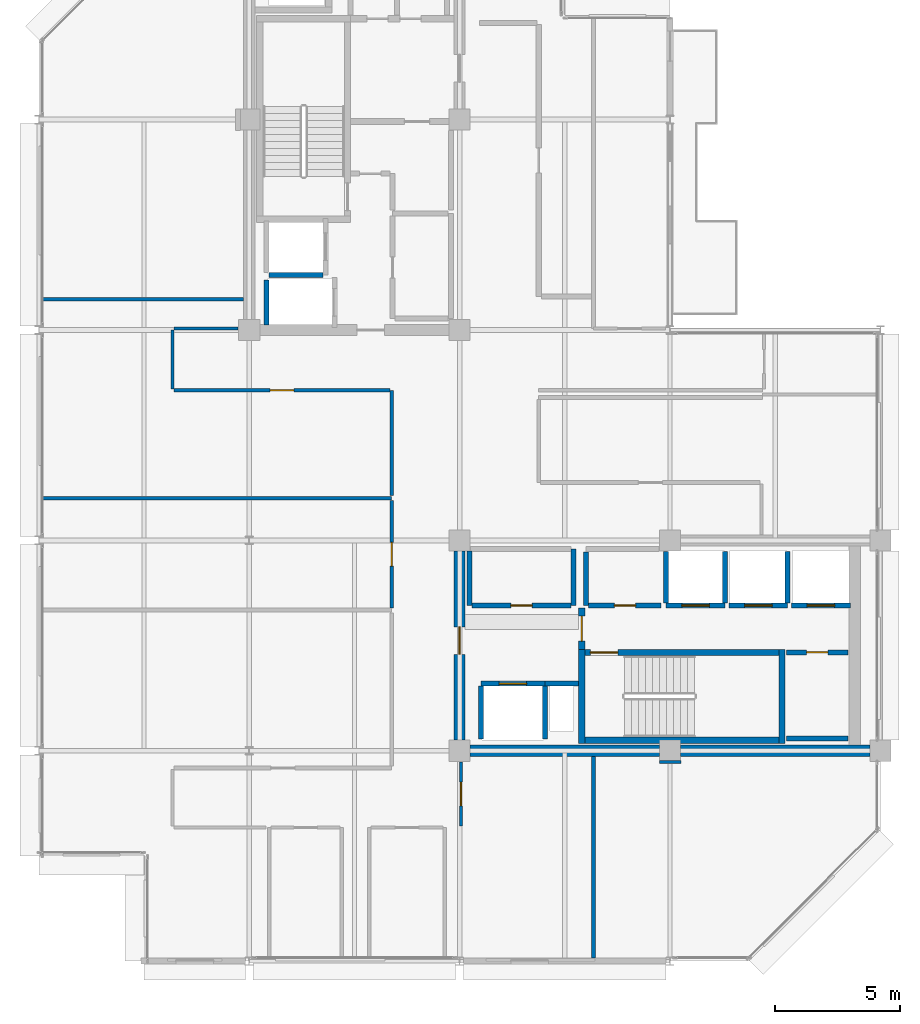
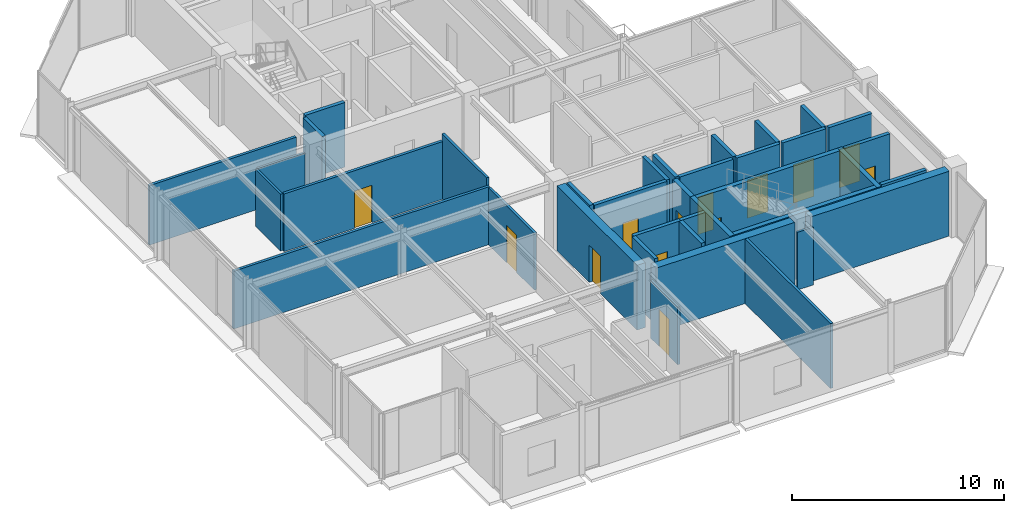
# One storey, part 20 of 25: 37 walls, 13 doors, 13 openings.
"""IFC4 building model written with IfcOpenShell, lengths in metres."""

from ifc_helpers import new_model, si_unit, direction, frame, frame_2d, origin, place, context, subcontext, project, spatial, rectangle, extrude, material, layer, layer_set, type_object, element, fill, save


model = new_model("IFC4")

# Units and contexts
model_context = context("Model", 3, precision=1e-05, world=origin(), true_north=direction((0.0, 1.0)))
body_context = subcontext(model_context, "Body", "Model", "MODEL_VIEW")
ifc_project = project(units=[si_unit("LENGTHUNIT", "METRE"), si_unit("AREAUNIT", "SQUARE_METRE"), si_unit("VOLUMEUNIT", "CUBIC_METRE"), si_unit("PLANEANGLEUNIT", "RADIAN"), si_unit("MASSUNIT", "GRAM", prefix="KILO")], contexts=[model_context])

# Site, building, storey
site_placement = place(None, origin())
site = spatial("IfcSite", under=ifc_project, at=site_placement, CompositionType="ELEMENT")
building_placement = place(site_placement, origin())
building = spatial("IfcBuilding", under=site, at=building_placement, Name="Nerrivon Quay Data Exchange", CompositionType="ELEMENT")
storey_placement = place(building_placement, frame((0.0, 0.0, 290.199951171875)))
storey = spatial("IfcBuildingStorey", under=building, at=storey_placement, Name="L69", CompositionType="ELEMENT", Elevation=290.199951171875)

# Walls
ifc_material_1 = material(Name="Concrete N50 (50 MPa)", Category="concrete")
ifc_layer_1 = layer(ifc_material_1, 0.449951171875)
ifc_layer_set_1 = layer_set([ifc_layer_1], Name="Concrete N50 (50 MPa)")
wall_type_1 = type_object("IfcWallType", Name="WALL-CW-550", PredefinedType="SHEAR", material=ifc_layer_set_1)
wall_1_placement = place(storey_placement, frame((17.22509765625, 8.39990234375, 0.0), z_axis=(0.0, 0.0, 1.0), x_axis=(1.0, 0.0, 0.0)))
element("IfcWall", 1, at=wall_1_placement, inside=storey, type_object=wall_type_1, Name="L69 East Split-Core Shear Wall ECW-S1", PredefinedType="SHEAR", context=body_context, shape_type="SweptSolid", body=[
    extrude(rectangle(XDim=7.5498046875, YDim=0.449951171875, at=frame_2d((3.77490234375, 0.0))), origin(), (0.0, 0.0, 1.0), 3.72509765625),
])
wall_2_placement = place(storey_placement, frame((25.625, 8.39990234375, 0.0), z_axis=(0.0, 0.0, 1.0), x_axis=(1.0, 0.0, 0.0)))
element("IfcWall", 2, at=wall_2_placement, inside=storey, type_object=wall_type_1, Name="L69 East Split-Core Shear Wall ECW-S2", PredefinedType="SHEAR", context=body_context, shape_type="SweptSolid", body=[
    extrude(rectangle(XDim=7.550048828125, YDim=0.449951171875, at=frame_2d((3.77490234375, 0.0))), origin(), (0.0, 0.0, 1.0), 3.72509765625),
])

# Wall, opening, door
wall_3_placement = place(storey_placement, frame((16.800048828125, 8.824951171875, 0.0), z_axis=(0.0, 0.0, 1.0), x_axis=(0.0, 1.0, 0.0)))
wall_3 = element("IfcWall", 3, at=wall_3_placement, inside=storey, type_object=wall_type_1, Name="L69 East Split-Core Shear Wall ECW-W1", PredefinedType="SHEAR", context=body_context, shape_type="SweptSolid", body=[
    extrude(rectangle(XDim=7.550048828125, YDim=0.449951171875, at=frame_2d((3.77490234375, 0.0))), origin(), (0.0, 0.0, 1.0), 3.72509765625),
])
opening_1_placement = place(wall_3_placement, frame((3.425048828125, 0.0, 0.0)))
opening_1 = element("IfcOpeningElement", 4, at=opening_1_placement, cuts=wall_3, Name="Opening FD-120", PredefinedType="OPENING", context=body_context, shape_type="SweptSolid", body=[
    extrude(rectangle(XDim=1.10009765625, YDim=2.14990234375, at=frame_2d((0.550048828125, 1.074951171875))), frame((0.0, 0.23486328125, 0.0), z_axis=(0.0, -1.0, 0.0), x_axis=(1.0, 0.0, 0.0)), (0.0, 0.0, 1.0), 0.469970703125),
])
ifc_material_2 = material(Name="Powder-coated galvanized steel sheet", Category="steel")
door_type_1 = type_object("IfcDoorType", Name="DR-FD120-1100", OperationType="NOTDEFINED", PredefinedType="DOOR", material=ifc_material_2)
door_1_placement = place(opening_1_placement, origin())
door_1 = element("IfcDoor", 5, at=door_1_placement, inside=storey, type_object=door_type_1, Name="L69 East Core Lobby Fire Door", OperationType="SINGLE_SWING_RIGHT", OverallHeight=2.14990234375, OverallWidth=1.10009765625, PredefinedType="DOOR", context=body_context, shape_type="SweptSolid", body=[
    extrude(rectangle(XDim=1.10009765625, YDim=2.14990234375, at=frame_2d((0.550048828125, 1.074951171875))), frame((0.0, 0.02490234375, 0.0), z_axis=(0.0, -1.0, 0.0), x_axis=(1.0, 0.0, 0.0)), (0.0, 0.0, 1.0), 0.050048828125),
])
fill(opening_1, door_1)

# Walls
ifc_material_3 = material(Name="Gypsum plasterboard on cold-formed framing", Category="gypsum")
ifc_layer_2 = layer(ifc_material_3, 0.199951171875)
ifc_layer_set_2 = layer_set([ifc_layer_2], Name="Gypsum plasterboard on cold-formed framing")
wall_type_2 = type_object("IfcWallType", Name="WALL-FW-200", PredefinedType="PARTITIONING", material=ifc_layer_set_2)
wall_4_placement = place(storey_placement, frame((20.199951171875, 11.080078125, 0.0), z_axis=(0.0, 0.0, 1.0), x_axis=(1.0, 0.0, 0.0)))
element("IfcWall", 6, at=wall_4_placement, inside=storey, type_object=wall_type_2, Name="L69 East Core MEP Riser Shaft Wall N", PredefinedType="PARTITIONING", context=body_context, shape_type="SweptSolid", body=[
    extrude(rectangle(XDim=1.35009765625, YDim=0.199951171875, at=frame_2d((0.675048828125, 0.0))), origin(), (0.0, 0.0, 1.0), 3.72509765625),
])
wall_5_placement = place(storey_placement, frame((9.199951171875, 27.39990234375, 0.0), z_axis=(0.0, 0.0, 1.0), x_axis=(1.0, 0.0, 0.0)))
element("IfcWall", 7, at=wall_5_placement, inside=storey, type_object=wall_type_2, Name="L69 Lift Shaft Wall FFL-1 SOUTH", PredefinedType="PARTITIONING", context=body_context, shape_type="SweptSolid", body=[
    extrude(rectangle(XDim=2.150146484375, YDim=0.199951171875, at=frame_2d((1.0751953125, 0.0))), origin(), (0.0, 0.0, 1.0), 3.72509765625),
])
wall_6_placement = place(storey_placement, frame((9.10009765625, 25.39990234375, 0.0), z_axis=(0.0, 0.0, 1.0), x_axis=(0.0, 1.0, 0.0)))
element("IfcWall", 8, at=wall_6_placement, inside=storey, type_object=wall_type_2, Name="L69 Lift Shaft Wall SVL-1 WEST", PredefinedType="PARTITIONING", context=body_context, shape_type="SweptSolid", body=[
    extrude(rectangle(XDim=1.800048828125, YDim=0.199951171875, at=frame_2d((0.89990234375, 0.0))), origin(), (0.0, 0.0, 1.0), 3.72509765625),
])

# Wall, opening, door
wall_7_placement = place(storey_placement, frame((17.64990234375, 11.080078125, 0.0), z_axis=(0.0, 0.0, 1.0), x_axis=(1.0, 0.0, 0.0)))
wall_7 = element("IfcWall", 9, at=wall_7_placement, inside=storey, type_object=wall_type_2, Name="L69 Lift Front Wall FFL-2", PredefinedType="PARTITIONING", context=body_context, shape_type="SweptSolid", body=[
    extrude(rectangle(XDim=2.550048828125, YDim=0.199951171875, at=frame_2d((1.27490234375, 0.0))), origin(), (0.0, 0.0, 1.0), 3.72509765625),
])
opening_2_placement = place(wall_7_placement, frame((0.72509765625, 0.0, 0.0)))
opening_2 = element("IfcOpeningElement", 10, at=opening_2_placement, cuts=wall_7, Name="Opening LD-120", PredefinedType="OPENING", context=body_context, shape_type="SweptSolid", body=[
    extrude(rectangle(XDim=1.10009765625, YDim=2.199951171875, at=frame_2d((0.550048828125, 1.10009765625))), frame((0.0, 0.10986328125, 0.0), z_axis=(0.0, -1.0, 0.0), x_axis=(1.0, 0.0, 0.0)), (0.0, 0.0, 1.0), 0.219970703125),
])
door_type_2 = type_object("IfcDoorType", Name="DR-LIFT-LD120", OperationType="DOUBLE_DOOR_SLIDING", PredefinedType="DOOR", material=ifc_material_2)
door_2_placement = place(opening_2_placement, origin())
door_2 = element("IfcDoor", 11, at=door_2_placement, inside=storey, type_object=door_type_2, Name="L69 Lift Landing Sliding Door FFL-2", OperationType="DOUBLE_DOOR_SLIDING", OverallHeight=2.199951171875, OverallWidth=1.10009765625, PredefinedType="DOOR", context=body_context, shape_type="SweptSolid", body=[
    extrude(rectangle(XDim=1.10009765625, YDim=2.199951171875, at=frame_2d((0.550048828125, 1.10009765625))), frame((0.0, 0.02490234375, 0.0), z_axis=(0.0, -1.0, 0.0), x_axis=(1.0, 0.0, 0.0)), (0.0, 0.0, 1.0), 0.050048828125),
])
fill(opening_2, door_2)

# Walls
for number, where, z_axis, x_axis, name in (
    (12, (20.199951171875, 8.8798828125, 0.0), (0.0, 0.0, 1.0), (0.0, 1.0, 0.0), "L69 Lift Shaft Wall FFL-2 EAST"),
    (13, (17.64990234375, 8.8798828125, 0.0), (0.0, 0.0, 1.0), (0.0, 1.0, 0.0), "L69 Lift Shaft Wall FFL-2 WEST"),
):
    element("IfcWall", number, at=place(storey_placement, frame(where, z_axis=z_axis, x_axis=x_axis)), inside=storey, type_object=wall_type_2, Name=name, PredefinedType="PARTITIONING", context=body_context, shape_type="SweptSolid", body=[
        extrude(rectangle(XDim=2.10009765625, YDim=0.199951171875, at=frame_2d((1.050048828125, 0.0))), origin(), (0.0, 0.0, 1.0), 3.72509765625),
    ])

# Wall, opening, door
wall_8_placement = place(storey_placement, frame((25.050048828125, 14.199951171875, 0.0), z_axis=(0.0, 0.0, 1.0), x_axis=(1.0, 0.0, 0.0)))
wall_8 = element("IfcWall", 14, at=wall_8_placement, inside=storey, type_object=wall_type_2, Name="L69 Lift Front Wall PL7", PredefinedType="PARTITIONING", context=body_context, shape_type="SweptSolid", body=[
    extrude(rectangle(XDim=2.349853515625, YDim=0.199951171875, at=frame_2d((1.1748046875, 0.0))), origin(), (0.0, 0.0, 1.0), 3.72509765625),
])
opening_3_placement = place(wall_8_placement, frame((0.625, 0.0, 0.0)))
opening_3 = element("IfcOpeningElement", 15, at=opening_3_placement, cuts=wall_8, Name="Opening LD-120", PredefinedType="OPENING", context=body_context, shape_type="SweptSolid", body=[
    extrude(rectangle(XDim=1.10009765625, YDim=2.199951171875, at=frame_2d((0.550048828125, 1.10009765625))), frame((0.0, 0.10986328125, 0.0), z_axis=(0.0, -1.0, 0.0), x_axis=(1.0, 0.0, 0.0)), (0.0, 0.0, 1.0), 0.219970703125),
])
door_3_placement = place(opening_3_placement, origin())
door_3 = element("IfcDoor", 16, at=door_3_placement, inside=storey, type_object=door_type_2, Name="L69 Lift Landing Sliding Door PL7", OperationType="DOUBLE_DOOR_SLIDING", OverallHeight=2.199951171875, OverallWidth=1.10009765625, PredefinedType="DOOR", context=body_context, shape_type="SweptSolid", body=[
    extrude(rectangle(XDim=1.10009765625, YDim=2.199951171875, at=frame_2d((0.550048828125, 1.10009765625))), frame((0.0, 0.02490234375, 0.0), z_axis=(0.0, -1.0, 0.0), x_axis=(1.0, 0.0, 0.0)), (0.0, 0.0, 1.0), 0.050048828125),
])
fill(opening_3, door_3)

# Walls
for number, where, z_axis, x_axis, name in (
    (17, (27.39990234375, 14.300048828125, 0.0), (0.0, 0.0, 1.0), (0.0, 1.0, 0.0), "L69 Lift Shaft Wall PL7 EAST"),
    (18, (25.050048828125, 14.300048828125, 0.0), (0.0, 0.0, 1.0), (0.0, 1.0, 0.0), "L69 Lift Shaft Wall PL7 WEST"),
):
    element("IfcWall", number, at=place(storey_placement, frame(where, z_axis=z_axis, x_axis=x_axis)), inside=storey, type_object=wall_type_2, Name=name, PredefinedType="PARTITIONING", context=body_context, shape_type="SweptSolid", body=[
        extrude(rectangle(XDim=2.050048828125, YDim=0.199951171875, at=frame_2d((1.02490234375, 0.0))), origin(), (0.0, 0.0, 1.0), 3.72509765625),
    ])

# Wall, opening, door
wall_9_placement = place(storey_placement, frame((27.550048828125, 14.199951171875, 0.0), z_axis=(0.0, 0.0, 1.0), x_axis=(1.0, 0.0, 0.0)))
wall_9 = element("IfcWall", 19, at=wall_9_placement, inside=storey, type_object=wall_type_2, Name="L69 Lift Front Wall PL8", PredefinedType="PARTITIONING", context=body_context, shape_type="SweptSolid", body=[
    extrude(rectangle(XDim=2.349853515625, YDim=0.199951171875, at=frame_2d((1.1748046875, 0.0))), origin(), (0.0, 0.0, 1.0), 3.72509765625),
])
opening_4_placement = place(wall_9_placement, frame((0.625, 0.0, 0.0)))
opening_4 = element("IfcOpeningElement", 20, at=opening_4_placement, cuts=wall_9, Name="Opening LD-120", PredefinedType="OPENING", context=body_context, shape_type="SweptSolid", body=[
    extrude(rectangle(XDim=1.10009765625, YDim=2.199951171875, at=frame_2d((0.550048828125, 1.10009765625))), frame((0.0, 0.10986328125, 0.0), z_axis=(0.0, -1.0, 0.0), x_axis=(1.0, 0.0, 0.0)), (0.0, 0.0, 1.0), 0.219970703125),
])
door_4_placement = place(opening_4_placement, origin())
door_4 = element("IfcDoor", 21, at=door_4_placement, inside=storey, type_object=door_type_2, Name="L69 Lift Landing Sliding Door PL8", OperationType="DOUBLE_DOOR_SLIDING", OverallHeight=2.199951171875, OverallWidth=1.10009765625, PredefinedType="DOOR", context=body_context, shape_type="SweptSolid", body=[
    extrude(rectangle(XDim=1.10009765625, YDim=2.199951171875, at=frame_2d((0.550048828125, 1.10009765625))), frame((0.0, 0.02490234375, 0.0), z_axis=(0.0, -1.0, 0.0), x_axis=(1.0, 0.0, 0.0)), (0.0, 0.0, 1.0), 0.050048828125),
])
fill(opening_4, door_4)

# Wall
wall_10_placement = place(storey_placement, frame((29.89990234375, 14.300048828125, 0.0), z_axis=(0.0, 0.0, 1.0), x_axis=(0.0, 1.0, 0.0)))
element("IfcWall", 22, at=wall_10_placement, inside=storey, type_object=wall_type_2, Name="L69 Lift Shaft Wall PL8 EAST", PredefinedType="PARTITIONING", context=body_context, shape_type="SweptSolid", body=[
    extrude(rectangle(XDim=2.050048828125, YDim=0.199951171875, at=frame_2d((1.02490234375, 0.0))), origin(), (0.0, 0.0, 1.0), 3.72509765625),
])

# Wall, opening, door
wall_11_placement = place(storey_placement, frame((30.050048828125, 14.199951171875, 0.0), z_axis=(0.0, 0.0, 1.0), x_axis=(1.0, 0.0, 0.0)))
wall_11 = element("IfcWall", 23, at=wall_11_placement, inside=storey, type_object=wall_type_2, Name="L69 Lift Front Wall PL9", PredefinedType="PARTITIONING", context=body_context, shape_type="SweptSolid", body=[
    extrude(rectangle(XDim=2.349853515625, YDim=0.199951171875, at=frame_2d((1.1748046875, 0.0))), origin(), (0.0, 0.0, 1.0), 3.72509765625),
])
opening_5_placement = place(wall_11_placement, frame((0.625, 0.0, 0.0)))
opening_5 = element("IfcOpeningElement", 24, at=opening_5_placement, cuts=wall_11, Name="Opening LD-120", PredefinedType="OPENING", context=body_context, shape_type="SweptSolid", body=[
    extrude(rectangle(XDim=1.10009765625, YDim=2.199951171875, at=frame_2d((0.550048828125, 1.10009765625))), frame((0.0, 0.10986328125, 0.0), z_axis=(0.0, -1.0, 0.0), x_axis=(1.0, 0.0, 0.0)), (0.0, 0.0, 1.0), 0.219970703125),
])
door_5_placement = place(opening_5_placement, origin())
door_5 = element("IfcDoor", 25, at=door_5_placement, inside=storey, type_object=door_type_2, Name="L69 Lift Landing Sliding Door PL9", OperationType="DOUBLE_DOOR_SLIDING", OverallHeight=2.199951171875, OverallWidth=1.10009765625, PredefinedType="DOOR", context=body_context, shape_type="SweptSolid", body=[
    extrude(rectangle(XDim=1.10009765625, YDim=2.199951171875, at=frame_2d((0.550048828125, 1.10009765625))), frame((0.0, 0.02490234375, 0.0), z_axis=(0.0, -1.0, 0.0), x_axis=(1.0, 0.0, 0.0)), (0.0, 0.0, 1.0), 0.050048828125),
])
fill(opening_5, door_5)

# Walls
wall_12_placement = place(storey_placement, frame((21.35009765625, 14.199951171875, 0.0), z_axis=(0.0, 0.0, 1.0), x_axis=(0.0, 1.0, 0.0)))
element("IfcWall", 26, at=wall_12_placement, inside=storey, type_object=wall_type_2, Name="L69 Partition High-Zone Optical Closet", PredefinedType="PARTITIONING", context=body_context, shape_type="SweptSolid", body=[
    extrude(rectangle(XDim=2.25, YDim=0.199951171875, at=frame_2d((1.125, 0.0))), origin(), (0.0, 0.0, 1.0), 3.72509765625),
])
wall_13_placement = place(storey_placement, frame((17.199951171875, 16.3701171875, 0.0), z_axis=(0.0, 0.0, 1.0), x_axis=(0.0, -1.0, 0.0)))
element("IfcWall", 27, at=wall_13_placement, inside=storey, type_object=wall_type_2, Name="L69 Partition High-Zone Optical Closet", PredefinedType="PARTITIONING", context=body_context, shape_type="SweptSolid", body=[
    extrude(rectangle(XDim=2.170166015625, YDim=0.199951171875, at=frame_2d((1.0849609375, 0.0))), origin(), (0.0, 0.0, 1.0), 3.72509765625),
])

# Wall, opening, door
wall_14_placement = place(storey_placement, frame((17.303955078125, 14.199951171875, 0.0), z_axis=(0.0, 0.0, 1.0), x_axis=(1.0, 0.0, 0.0)))
wall_14 = element("IfcWall", 28, at=wall_14_placement, inside=storey, type_object=wall_type_2, Name="L69 Partition High-Zone Optical Closet", PredefinedType="PARTITIONING", context=body_context, shape_type="SweptSolid", body=[
    extrude(rectangle(XDim=3.942138671875, YDim=0.199951171875, at=frame_2d((1.97119140625, 0.0))), origin(), (0.0, 0.0, 1.0), 3.72509765625),
])
opening_6_placement = place(wall_14_placement, frame((1.5458984375, 0.0, 0.0)))
opening_6 = element("IfcOpeningElement", 29, at=opening_6_placement, cuts=wall_14, Name="Opening FD-60S", PredefinedType="OPENING", context=body_context, shape_type="SweptSolid", body=[
    extrude(rectangle(XDim=0.85009765625, YDim=2.14990234375, at=frame_2d((0.425048828125, 1.074951171875))), frame((0.0, 0.10986328125, 0.0), z_axis=(0.0, -1.0, 0.0), x_axis=(1.0, 0.0, 0.0)), (0.0, 0.0, 1.0), 0.219970703125),
])
ifc_material_4 = material(Name="Engineered hardwood timber", Category="wood")
door_type_3 = type_object("IfcDoorType", Name="DR-FD60-850", OperationType="NOTDEFINED", PredefinedType="DOOR", material=ifc_material_4)
door_6_placement = place(opening_6_placement, origin())
door_6 = element("IfcDoor", 30, at=door_6_placement, inside=storey, type_object=door_type_3, Name="L69 Door High-Zone Optical Closet", OperationType="SINGLE_SWING_LEFT", OverallHeight=2.14990234375, OverallWidth=0.85009765625, PredefinedType="DOOR", context=body_context, shape_type="SweptSolid", body=[
    extrude(rectangle(XDim=0.85009765625, YDim=2.14990234375, at=frame_2d((0.425048828125, 1.074951171875))), frame((0.0, 0.02490234375, 0.0), z_axis=(0.0, -1.0, 0.0), x_axis=(1.0, 0.0, 0.0)), (0.0, 0.0, 1.0), 0.050048828125),
])
fill(opening_6, door_6)

# Wall
wall_15_placement = place(storey_placement, frame((21.85009765625, 16.345947265625, 0.0), z_axis=(0.0, 0.0, 1.0), x_axis=(0.0, -1.0, 0.0)))
element("IfcWall", 31, at=wall_15_placement, inside=storey, type_object=wall_type_2, Name="L69 Partition High-Zone Supply Store", PredefinedType="PARTITIONING", context=body_context, shape_type="SweptSolid", body=[
    extrude(rectangle(XDim=2.14599609375, YDim=0.199951171875, at=frame_2d((1.072998046875, 0.0))), origin(), (0.0, 0.0, 1.0), 3.72509765625),
])

# Wall, opening, door
wall_16_placement = place(storey_placement, frame((21.9541015625, 14.199951171875, 0.0), z_axis=(0.0, 0.0, 1.0), x_axis=(1.0, 0.0, 0.0)))
wall_16 = element("IfcWall", 32, at=wall_16_placement, inside=storey, type_object=wall_type_2, Name="L69 Partition High-Zone Supply Store", PredefinedType="PARTITIONING", context=body_context, shape_type="SweptSolid", body=[
    extrude(rectangle(XDim=2.89599609375, YDim=0.199951171875, at=frame_2d((1.447998046875, 0.0))), origin(), (0.0, 0.0, 1.0), 3.72509765625),
])
opening_7_placement = place(wall_16_placement, frame((1.02294921875, 0.0, 0.0)))
opening_7 = element("IfcOpeningElement", 33, at=opening_7_placement, cuts=wall_16, Name="Opening FD-60S", PredefinedType="OPENING", context=body_context, shape_type="SweptSolid", body=[
    extrude(rectangle(XDim=0.85009765625, YDim=2.14990234375, at=frame_2d((0.425048828125, 1.074951171875))), frame((0.0, 0.10986328125, 0.0), z_axis=(0.0, -1.0, 0.0), x_axis=(1.0, 0.0, 0.0)), (0.0, 0.0, 1.0), 0.219970703125),
])
door_7_placement = place(opening_7_placement, origin())
door_7 = element("IfcDoor", 34, at=door_7_placement, inside=storey, type_object=door_type_3, Name="L69 Door High-Zone Supply Store", OperationType="SINGLE_SWING_RIGHT", OverallHeight=2.14990234375, OverallWidth=0.85009765625, PredefinedType="DOOR", context=body_context, shape_type="SweptSolid", body=[
    extrude(rectangle(XDim=0.85009765625, YDim=2.14990234375, at=frame_2d((0.425048828125, 1.074951171875))), frame((0.0, 0.02490234375, 0.0), z_axis=(0.0, -1.0, 0.0), x_axis=(1.0, 0.0, 0.0)), (0.0, 0.0, 1.0), 0.050048828125),
])
fill(opening_7, door_7)

wall_17_placement = place(storey_placement, frame((32.300048828125, 12.330078125, 0.0), z_axis=(0.0, 0.0, 1.0), x_axis=(-1.0, 0.0, 0.0)))
wall_17 = element("IfcWall", 35, at=wall_17_placement, inside=storey, type_object=wall_type_2, Name="L69 Partition East Supply Store", PredefinedType="PARTITIONING", context=body_context, shape_type="SweptSolid", body=[
    extrude(rectangle(XDim=2.449951171875, YDim=0.199951171875, at=frame_2d((1.22509765625, 0.0))), origin(), (0.0, 0.0, 1.0), 3.72509765625),
])
opening_8_placement = place(wall_17_placement, frame((0.800048828125, 0.0, 0.0)))
opening_8 = element("IfcOpeningElement", 36, at=opening_8_placement, cuts=wall_17, Name="Opening FD-60S", PredefinedType="OPENING", context=body_context, shape_type="SweptSolid", body=[
    extrude(rectangle(XDim=0.85009765625, YDim=2.14990234375, at=frame_2d((0.425048828125, 1.074951171875))), frame((0.0, 0.10986328125, 0.0), z_axis=(0.0, -1.0, 0.0), x_axis=(1.0, 0.0, 0.0)), (0.0, 0.0, 1.0), 0.219970703125),
])
door_8_placement = place(opening_8_placement, origin())
door_8 = element("IfcDoor", 37, at=door_8_placement, inside=storey, type_object=door_type_3, Name="L69 Door East Supply Store", OperationType="SINGLE_SWING_LEFT", OverallHeight=2.14990234375, OverallWidth=0.85009765625, PredefinedType="DOOR", context=body_context, shape_type="SweptSolid", body=[
    extrude(rectangle(XDim=0.85009765625, YDim=2.14990234375, at=frame_2d((0.425048828125, 1.074951171875))), frame((0.0, 0.02490234375, 0.0), z_axis=(0.0, -1.0, 0.0), x_axis=(1.0, 0.0, 0.0)), (0.0, 0.0, 1.0), 0.050048828125),
])
fill(opening_8, door_8)

# Wall
wall_18_placement = place(storey_placement, frame((29.85009765625, 8.89990234375, 0.0), z_axis=(0.0, 0.0, 1.0), x_axis=(1.0, 0.0, 0.0)))
element("IfcWall", 38, at=wall_18_placement, inside=storey, type_object=wall_type_2, Name="L69 Partition East Supply Store", PredefinedType="PARTITIONING", context=body_context, shape_type="SweptSolid", body=[
    extrude(rectangle(XDim=2.449951171875, YDim=0.199951171875, at=frame_2d((1.22509765625, 0.0))), origin(), (0.0, 0.0, 1.0), 3.72509765625),
])

# Wall, opening, door
ifc_layer_3 = layer(ifc_material_3, 0.1201171875)
ifc_layer_set_3 = layer_set([ifc_layer_3], Name="Gypsum plasterboard on cold-formed framing")
wall_type_3 = type_object("IfcWallType", Name="WALL-PT-120", PredefinedType="PARTITIONING", material=ifc_layer_set_3)
wall_19_placement = place(storey_placement, frame((16.860107421875, 7.955078125, 0.0), z_axis=(0.0, 0.0, 1.0), x_axis=(0.0, -1.0, 0.0)))
wall_19 = element("IfcWall", 39, at=wall_19_placement, inside=storey, type_object=wall_type_3, Name="L69 Partition Staff Pantry", PredefinedType="PARTITIONING", context=body_context, shape_type="SweptSolid", body=[
    extrude(rectangle(XDim=2.55517578125, YDim=0.1201171875, at=frame_2d((1.277587890625, 0.0))), origin(), (0.0, 0.0, 1.0), 3.319091796875),
])
opening_9_placement = place(wall_19_placement, frame((0.802490234375, 0.0, 0.0)))
opening_9 = element("IfcOpeningElement", 40, at=opening_9_placement, cuts=wall_19, Name="Opening D-01", PredefinedType="OPENING", context=body_context, shape_type="SweptSolid", body=[
    extrude(rectangle(XDim=0.949951171875, YDim=2.14990234375, at=frame_2d((0.47509765625, 1.074951171875))), frame((0.0, 0.070068359375, 0.0), z_axis=(0.0, -1.0, 0.0), x_axis=(1.0, 0.0, 0.0)), (0.0, 0.0, 1.0), 0.14013671875),
])
door_type_4 = type_object("IfcDoorType", Name="DR-INT-950", OperationType="NOTDEFINED", PredefinedType="DOOR", material=ifc_material_4)
door_9_placement = place(opening_9_placement, origin())
door_9 = element("IfcDoor", 41, at=door_9_placement, inside=storey, type_object=door_type_4, Name="L69 Door Staff Pantry", OperationType="SINGLE_SWING_RIGHT", OverallHeight=2.14990234375, OverallWidth=0.949951171875, PredefinedType="DOOR", context=body_context, shape_type="SweptSolid", body=[
    extrude(rectangle(XDim=0.949951171875, YDim=2.14990234375, at=frame_2d((0.47509765625, 1.074951171875))), frame((0.0, 0.02490234375, 0.0), z_axis=(0.0, -1.0, 0.0), x_axis=(1.0, 0.0, 0.0)), (0.0, 0.0, 1.0), 0.050048828125),
])
fill(opening_9, door_9)

# Walls
wall_20_placement = place(storey_placement, frame((5.39990234375, 25.260009765625, 0.0), z_axis=(0.0, 0.0, 1.0), x_axis=(1.0, 0.0, 0.0)))
element("IfcWall", 42, at=wall_20_placement, inside=storey, type_object=wall_type_3, Name="L69 Partition Quiet Reading Room", PredefinedType="PARTITIONING", context=body_context, shape_type="SweptSolid", body=[
    extrude(rectangle(XDim=2.55517578125, YDim=0.1201171875, at=frame_2d((1.277587890625, 0.0))), origin(), (0.0, 0.0, 1.0), 3.27099609375),
])
wall_21_placement = place(storey_placement, frame((5.340087890625, 22.85009765625, 0.0), z_axis=(0.0, 0.0, 1.0), x_axis=(0.0, 1.0, 0.0)))
element("IfcWall", 43, at=wall_21_placement, inside=storey, type_object=wall_type_3, Name="L69 Partition Quiet Reading Room", PredefinedType="PARTITIONING", context=body_context, shape_type="SweptSolid", body=[
    extrude(rectangle(XDim=2.349853515625, YDim=0.1201171875, at=frame_2d((1.1748046875, 0.0))), origin(), (0.0, 0.0, 1.0), 3.27099609375),
])
wall_22_placement = place(storey_placement, frame((25.630859375, 7.955810546875, 0.0), z_axis=(0.0, 0.0, 1.0), x_axis=(-0.99999963391, -0.000855675671, 0.0)))
element("IfcWall", 44, at=wall_22_placement, inside=storey, type_object=wall_type_3, Name="L69 Partition Technical Library", PredefinedType="PARTITIONING", context=body_context, shape_type="SweptSolid", body=[
    extrude(rectangle(XDim=0.85595703125, YDim=0.1201171875, at=frame_2d((0.427978515625, 0.0))), origin(), (0.0, 0.0, 1.0), 3.319091796875),
])

# Wall, opening, door
ifc_layer_4 = layer(ifc_material_3, 0.135009765625)
ifc_layer_set_4 = layer_set([ifc_layer_4], Name="Gypsum plasterboard on cold-formed framing")
wall_type_4 = type_object("IfcWallType", Name="WALL-PT-135", PredefinedType="PARTITIONING", material=ifc_layer_set_4)
wall_23_placement = place(storey_placement, frame((14.090087890625, 14.095947265625, 0.0), z_axis=(0.0, 0.0, 1.0), x_axis=(0.0, 1.0, 0.0)))
wall_23 = element("IfcWall", 45, at=wall_23_placement, inside=storey, type_object=wall_type_4, Name="L69 Partition Staff Tea Pantry", PredefinedType="PARTITIONING", context=body_context, shape_type="SweptSolid", body=[
    extrude(rectangle(XDim=4.303466796875, YDim=0.135009765625, at=frame_2d((2.15185546875, 0.0))), origin(), (0.0, 0.0, 1.0), 3.27099609375),
])
opening_10_placement = place(wall_23_placement, frame((1.6767578125, 0.0, 0.0)))
opening_10 = element("IfcOpeningElement", 46, at=opening_10_placement, cuts=wall_23, Name="Opening D-01", PredefinedType="OPENING", context=body_context, shape_type="SweptSolid", body=[
    extrude(rectangle(XDim=0.949951171875, YDim=2.14990234375, at=frame_2d((0.47509765625, 1.074951171875))), frame((0.0, 0.077392578125, 0.0), z_axis=(0.0, -1.0, 0.0), x_axis=(1.0, 0.0, 0.0)), (0.0, 0.0, 1.0), 0.155029296875),
])
door_10_placement = place(opening_10_placement, origin())
door_10 = element("IfcDoor", 47, at=door_10_placement, inside=storey, type_object=door_type_4, Name="L69 Door Staff Tea Pantry", OperationType="SINGLE_SWING_LEFT", OverallHeight=2.14990234375, OverallWidth=0.949951171875, PredefinedType="DOOR", context=body_context, shape_type="SweptSolid", body=[
    extrude(rectangle(XDim=0.949951171875, YDim=2.14990234375, at=frame_2d((0.47509765625, 1.074951171875))), frame((0.0, 0.02490234375, 0.0), z_axis=(0.0, -1.0, 0.0), x_axis=(1.0, 0.0, 0.0)), (0.0, 0.0, 1.0), 0.050048828125),
])
fill(opening_10, door_10)

# Walls
wall_24_placement = place(storey_placement, frame((14.090087890625, 18.598388671875, 0.0), z_axis=(0.0, 0.0, 1.0), x_axis=(0.0, 1.0, 0.0)))
element("IfcWall", 48, at=wall_24_placement, inside=storey, type_object=wall_type_4, Name="L69 Partition Quiet Reading Room", PredefinedType="PARTITIONING", context=body_context, shape_type="SweptSolid", body=[
    extrude(rectangle(XDim=4.191650390625, YDim=0.135009765625, at=frame_2d((2.095703125, 0.0))), origin(), (0.0, 0.0, 1.0), 3.72509765625),
])
ifc_layer_5 = layer(ifc_material_3, 0.14990234375)
ifc_layer_set_5 = layer_set([ifc_layer_5], Name="Gypsum plasterboard on cold-formed framing")
wall_type_5 = type_object("IfcWallType", Name="WALL-PT-150", PredefinedType="PARTITIONING", material=ifc_layer_set_5)
wall_25_placement = place(storey_placement, frame((22.14404296875, 0.1240234375, 0.0), z_axis=(0.0, 0.0, 1.0), x_axis=(0.0, 1.0, 0.0)))
element("IfcWall", 49, at=wall_25_placement, inside=storey, type_object=wall_type_5, Name="L69 Partition Staff Pantry", PredefinedType="PARTITIONING", context=body_context, shape_type="SweptSolid", body=[
    extrude(rectangle(XDim=8.046875, YDim=0.14990234375, at=frame_2d((4.0234375, 0.0))), origin(), (0.0, 0.0, 1.0), 3.72509765625),
])
wall_26_placement = place(storey_placement, frame((14.090087890625, 18.478515625, 0.0), z_axis=(0.0, 0.0, 1.0), x_axis=(-1.0, 0.0, 0.0)))
element("IfcWall", 50, at=wall_26_placement, inside=storey, type_object=wall_type_5, Name="L69 Partition Staff Tea Pantry", PredefinedType="PARTITIONING", context=body_context, shape_type="SweptSolid", body=[
    extrude(rectangle(XDim=13.921142578125, YDim=0.14990234375, at=frame_2d((6.96044921875, 0.0))), origin(), (0.0, 0.0, 1.0), 3.319091796875),
])
wall_27_placement = place(storey_placement, frame((8.1708984375, 26.4248046875, 0.0), z_axis=(0.0, 0.0, 1.0), x_axis=(-1.0, 0.0, 0.0)))
element("IfcWall", 51, at=wall_27_placement, inside=storey, type_object=wall_type_5, Name="L69 Partition Quiet Reading Room", PredefinedType="PARTITIONING", context=body_context, shape_type="SweptSolid", body=[
    extrude(rectangle(XDim=8.001953125, YDim=0.14990234375, at=frame_2d((4.0009765625, 0.0))), origin(), (0.0, 0.0, 1.0), 3.421142578125),
])

# Wall, opening, door
wall_28_placement = place(storey_placement, frame((14.0185546875, 22.7900390625, 0.0), z_axis=(0.0, 0.0, 1.0), x_axis=(-1.0, 0.0, 0.0)))
wall_28 = element("IfcWall", 52, at=wall_28_placement, inside=storey, type_object=wall_type_5, Name="L69 Partition Quiet Reading Room", PredefinedType="PARTITIONING", context=body_context, shape_type="SweptSolid", body=[
    extrude(rectangle(XDim=8.61865234375, YDim=0.14990234375, at=frame_2d((4.309326171875, 0.0))), origin(), (0.0, 0.0, 1.0), 3.319091796875),
])
opening_11_placement = place(wall_28_placement, frame((3.834228515625, 0.0, 0.0)))
opening_11 = element("IfcOpeningElement", 53, at=opening_11_placement, cuts=wall_28, Name="Opening D-01", PredefinedType="OPENING", context=body_context, shape_type="SweptSolid", body=[
    extrude(rectangle(XDim=0.949951171875, YDim=2.14990234375, at=frame_2d((0.47509765625, 1.074951171875))), frame((0.0, 0.0849609375, 0.0), z_axis=(0.0, -1.0, 0.0), x_axis=(1.0, 0.0, 0.0)), (0.0, 0.0, 1.0), 0.169921875),
])
door_11_placement = place(opening_11_placement, origin())
door_11 = element("IfcDoor", 54, at=door_11_placement, inside=storey, type_object=door_type_4, Name="L69 Door Quiet Reading Room", OperationType="SINGLE_SWING_RIGHT", OverallHeight=2.14990234375, OverallWidth=0.949951171875, PredefinedType="DOOR", context=body_context, shape_type="SweptSolid", body=[
    extrude(rectangle(XDim=0.949951171875, YDim=2.14990234375, at=frame_2d((0.47509765625, 1.074951171875))), frame((0.0, 0.02490234375, 0.0), z_axis=(0.0, -1.0, 0.0), x_axis=(1.0, 0.0, 0.0)), (0.0, 0.0, 1.0), 0.050048828125),
])
fill(opening_11, door_11)

# Walls
ifc_layer_6 = layer(ifc_material_1, 0.25)
ifc_layer_set_6 = layer_set([ifc_layer_6], Name="Concrete N50 (50 MPa)")
wall_type_6 = type_object("IfcWallType", Name="WALL-SW-250", PredefinedType="SHEAR", material=ifc_layer_set_6)
for number, where, z_axis, x_axis, name in (
    (55, (21.675048828125, 8.699951171875, 0.0), (0.0, 0.0, 1.0), (0.0, 1.0, 0.0), "L69 ST02 Structural Stair Core Wall NEAR"),
    (56, (29.675048828125, 8.699951171875, 0.0), (0.0, 0.0, 1.0), (0.0, 1.0, 0.0), "L69 ST02 Structural Stair Core Wall FAR"),
):
    element("IfcWall", number, at=place(storey_placement, frame(where, z_axis=z_axis, x_axis=x_axis)), inside=storey, type_object=wall_type_6, Name=name, PredefinedType="SHEAR", context=body_context, shape_type="SweptSolid", body=[
        extrude(rectangle(XDim=3.75, YDim=0.25, at=frame_2d((1.875, 0.0))), origin(), (0.0, 0.0, 1.0), 3.72509765625),
    ])
wall_29_placement = place(storey_placement, frame((21.800048828125, 8.824951171875, 0.0), z_axis=(0.0, 0.0, 1.0), x_axis=(1.0, 0.0, 0.0)))
element("IfcWall", 57, at=wall_29_placement, inside=storey, type_object=wall_type_6, Name="L69 ST02 Structural Stair Core Wall LEFT", PredefinedType="SHEAR", context=body_context, shape_type="SweptSolid", body=[
    extrude(rectangle(XDim=7.75, YDim=0.25, at=frame_2d((3.875, 0.0))), origin(), (0.0, 0.0, 1.0), 3.72509765625),
])

# Wall, opening, door
wall_30_placement = place(storey_placement, frame((21.800048828125, 12.324951171875, 0.0), z_axis=(0.0, 0.0, 1.0), x_axis=(1.0, 0.0, 0.0)))
wall_30 = element("IfcWall", 58, at=wall_30_placement, inside=storey, type_object=wall_type_6, Name="L69 ST02 Structural Stair Core Wall RIGHT", PredefinedType="SHEAR", context=body_context, shape_type="SweptSolid", body=[
    extrude(rectangle(XDim=7.75, YDim=0.25, at=frame_2d((3.875, 0.0))), origin(), (0.0, 0.0, 1.0), 3.72509765625),
])
opening_12_placement = place(wall_30_placement, frame((0.219970703125, 0.0, 0.0)))
opening_12 = element("IfcOpeningElement", 59, at=opening_12_placement, cuts=wall_30, Name="Opening FD-120", PredefinedType="OPENING", context=body_context, shape_type="SweptSolid", body=[
    extrude(rectangle(XDim=1.10009765625, YDim=2.14990234375, at=frame_2d((0.550048828125, 1.074951171875))), frame((0.0, 0.135009765625, 0.0), z_axis=(0.0, -1.0, 0.0), x_axis=(1.0, 0.0, 0.0)), (0.0, 0.0, 1.0), 0.27001953125),
])
door_12_placement = place(opening_12_placement, origin())
door_12 = element("IfcDoor", 60, at=door_12_placement, inside=storey, type_object=door_type_1, Name="L69 Protected Stair Door ST02", OperationType="SINGLE_SWING_RIGHT", OverallHeight=2.14990234375, OverallWidth=1.10009765625, PredefinedType="DOOR", context=body_context, shape_type="SweptSolid", body=[
    extrude(rectangle(XDim=1.10009765625, YDim=2.14990234375, at=frame_2d((0.550048828125, 1.074951171875))), frame((0.0, 0.02490234375, 0.0), z_axis=(0.0, -1.0, 0.0), x_axis=(1.0, 0.0, 0.0)), (0.0, 0.0, 1.0), 0.050048828125),
])
fill(opening_12, door_12)

wall_31_placement = place(storey_placement, frame((21.679931640625, 12.449951171875, 0.0), z_axis=(0.0, 0.0, 1.0), x_axis=(0.0, 1.0, 0.0)))
wall_31 = element("IfcWall", 61, at=wall_31_placement, inside=storey, type_object=wall_type_6, Name="L69 East Firefighting Lobby Wall", PredefinedType="SHEAR", context=body_context, shape_type="SweptSolid", body=[
    extrude(rectangle(XDim=1.650146484375, YDim=0.25, at=frame_2d((0.8251953125, 0.0))), origin(), (0.0, 0.0, 1.0), 3.72509765625),
])
opening_13_placement = place(wall_31_placement, frame((0.324951171875, 0.0, 0.0)))
opening_13 = element("IfcOpeningElement", 62, at=opening_13_placement, cuts=wall_31, Name="Opening FD-60", PredefinedType="OPENING", context=body_context, shape_type="SweptSolid", body=[
    extrude(rectangle(XDim=1.0, YDim=2.14990234375, at=frame_2d((0.5, 1.074951171875))), frame((0.0, 0.135009765625, 0.0), z_axis=(0.0, -1.0, 0.0), x_axis=(1.0, 0.0, 0.0)), (0.0, 0.0, 1.0), 0.27001953125),
])
door_type_5 = type_object("IfcDoorType", Name="DR-FD60-1000", OperationType="NOTDEFINED", PredefinedType="DOOR", material=ifc_material_4)
door_13_placement = place(opening_13_placement, origin())
door_13 = element("IfcDoor", 63, at=door_13_placement, inside=storey, type_object=door_type_5, Name="L69 East Firefighting Lobby Fire Door", OperationType="SINGLE_SWING_RIGHT", OverallHeight=2.14990234375, OverallWidth=1.0, PredefinedType="DOOR", context=body_context, shape_type="SweptSolid", body=[
    extrude(rectangle(XDim=1.0, YDim=2.14990234375, at=frame_2d((0.5, 1.074951171875))), frame((0.0, 0.02490234375, 0.0), z_axis=(0.0, -1.0, 0.0), x_axis=(1.0, 0.0, 0.0)), (0.0, 0.0, 1.0), 0.050048828125),
])
fill(opening_13, door_13)

save(model, "model.ifc")
